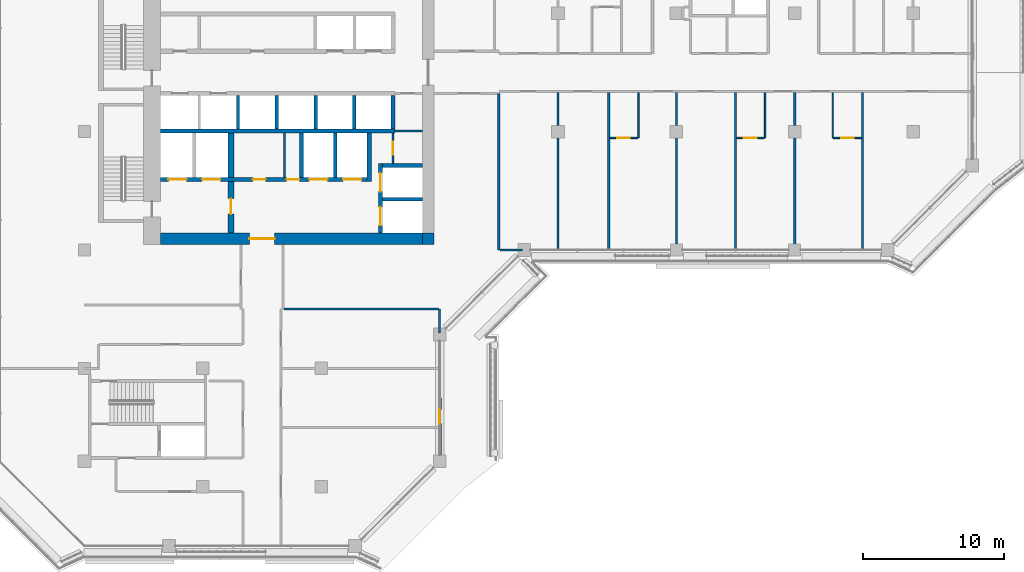
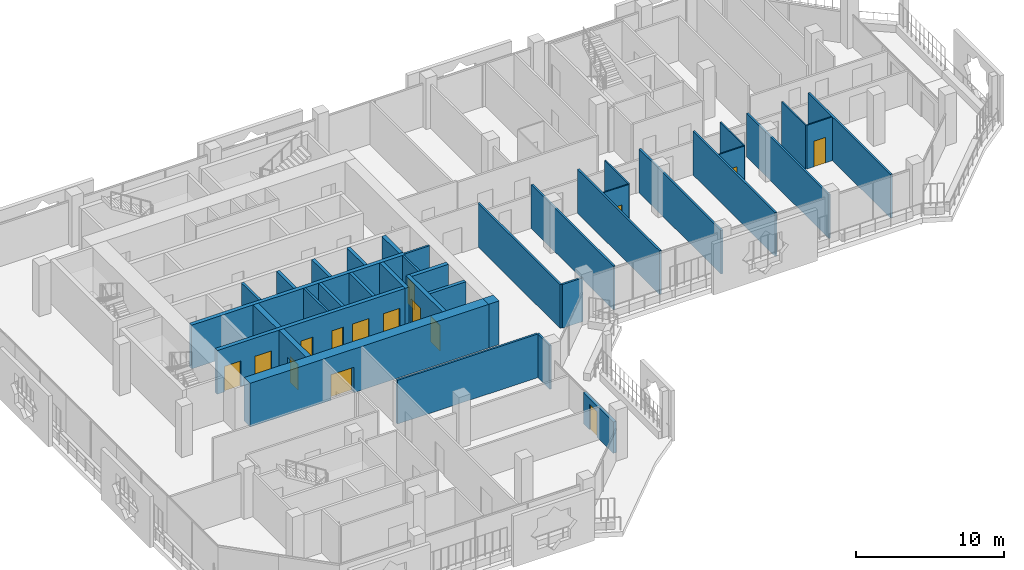
# One storey, part 10 of 21: 37 walls, 15 doors, 15 openings.
"""IFC4 building model written with IfcOpenShell, lengths in metres."""

import ifcopenshell
import ifcopenshell.guid

model = None  # the IFC model being written
_history = None  # IfcOwnerHistory: only IFC2X3 demands one
_inside = {}  # id of a spatial element -> (the spatial element, [elements in it])
_under = {}  # id of a project, library or spatial element -> (it, [spatial elements below it])
_declared = {}  # id of a project -> (the project, [libraries it declares])
_typed = {}  # id of a type object -> (the type object, [elements of that type])
_made_of = {}  # id of a material, layer set ... -> (it, [elements and type objects made of it])


def new_model(schema):
    """Start an empty IFC model of exactly this schema.

    Asked for "IFC4X3", IfcOpenShell would pick the latest addendum, in which some entities
    have other attributes; the version numbers below select the first issue.
    IFC2X3 requires an IfcOwnerHistory on every rooted entity: one is made here for all.
    """
    global model, _history
    if schema == "IFC4X3":
        model = ifcopenshell.file(schema_version=(4, 3, 0, 0))
    else:
        model = ifcopenshell.file(schema=schema)
    _inside.clear()
    _under.clear()
    _declared.clear()
    _typed.clear()
    _made_of.clear()
    _history = None
    if model.schema == "IFC2X3":
        org = make("IfcOrganization", Name="unknown")
        user = make(
            "IfcPersonAndOrganization",
            ThePerson=make("IfcPerson", FamilyName="unknown"),
            TheOrganization=org,
        )
        app = make(
            "IfcApplication",
            ApplicationDeveloper=org,
            Version="unknown",
            ApplicationFullName="unknown",
            ApplicationIdentifier="unknown",
        )
        _history = make(
            "IfcOwnerHistory",
            OwningUser=user,
            OwningApplication=app,
            ChangeAction="ADDED",
            CreationDate=0,
        )
    return model


def make(cls, **values):
    """One entity of the class cls with the attributes given. An attribute that is None is left unset."""
    return model.create_entity(
        cls, **{name: value for name, value in values.items() if value is not None}
    )


def rooted(cls, **values):
    """An entity with a GlobalId (a new one), such as an element, a storey or a relation."""
    return make(cls, GlobalId=ifcopenshell.guid.new(), OwnerHistory=_history, **values)


def si_unit(unit_type, name, prefix=None):
    """IfcSIUnit, for example si_unit("LENGTHUNIT", "METRE", prefix="MILLI")."""
    return make("IfcSIUnit", UnitType=unit_type, Prefix=prefix, Name=name)


def assignment(units):
    """IfcUnitAssignment: the units of a project."""
    return None if units is None else make("IfcUnitAssignment", Units=units)


def point(xyz):
    """IfcCartesianPoint."""
    return None if xyz is None else make("IfcCartesianPoint", Coordinates=xyz)


def direction(xyz):
    """IfcDirection."""
    return None if xyz is None else make("IfcDirection", DirectionRatios=xyz)


def frame(location, z_axis=None, x_axis=None):
    """IfcAxis2Placement3D, a coordinate frame: its origin and axes. An axis left out is left unset."""
    return make(
        "IfcAxis2Placement3D",
        Location=point(location),
        Axis=direction(z_axis),
        RefDirection=direction(x_axis),
    )


def frame_2d(location, x_axis=None):
    """IfcAxis2Placement2D, a coordinate frame in the plane: its origin and x axis."""
    return make(
        "IfcAxis2Placement2D", Location=point(location), RefDirection=direction(x_axis)
    )


def origin():
    """The frame at (0, 0, 0) with its axes left unset."""
    return frame((0.0, 0.0, 0.0))


def place(relative_to, where):
    """IfcLocalPlacement: puts the frame where relative to a parent placement (None: the world)."""
    return make(
        "IfcLocalPlacement", PlacementRelTo=relative_to, RelativePlacement=where
    )


def context(
    kind, dimensions, precision=None, world=None, true_north=None, identifier=None
):
    """IfcGeometricRepresentationContext, for example the 3D "Model" context."""
    return make(
        "IfcGeometricRepresentationContext",
        ContextIdentifier=identifier,
        ContextType=kind,
        CoordinateSpaceDimension=dimensions,
        Precision=precision,
        WorldCoordinateSystem=world,
        TrueNorth=true_north,
    )


def subcontext(parent, identifier, kind, view, scale=None):
    """IfcGeometricRepresentationSubContext, for example "Body" below "Model"."""
    return make(
        "IfcGeometricRepresentationSubContext",
        ContextIdentifier=identifier,
        ContextType=kind,
        ParentContext=parent,
        TargetScale=scale,
        TargetView=view,
    )


def project(units=None, contexts=None):
    """IfcProject with its units and contexts."""
    return rooted(
        "IfcProject",
        Name="project",
        RepresentationContexts=contexts,
        UnitsInContext=assignment(units),
    )


def spatial(cls, under=None, at=None, **own):
    """A site, building, storey or space (cls), placed at a placement, below another one or the project."""
    s = rooted(cls, ObjectPlacement=at, **own)
    if under is not None:
        _under.setdefault(under.id(), (under, []))[1].append(s)
    return s


def profile(cls, at=None, kind="AREA", **sizes):
    """A parametric profile (cls). Its sizes go by their IFC names, for example OverallWidth=200.0."""
    return make(cls, ProfileType=kind, Position=at, **sizes)


def rectangle(**sizes):
    """IfcRectangleProfileDef."""
    return profile("IfcRectangleProfileDef", **sizes)


def extrude(swept, where, along, depth):
    """IfcExtrudedAreaSolid: the profile swept, set in the frame where, extruded along a direction by depth."""
    return make(
        "IfcExtrudedAreaSolid",
        SweptArea=swept,
        Position=where,
        ExtrudedDirection=direction(along),
        Depth=depth,
    )


def shape(context_of_items, identifier, shape_type, items):
    """IfcShapeRepresentation: the items that make up one representation, for example the "Body"."""
    return make(
        "IfcShapeRepresentation",
        ContextOfItems=context_of_items,
        RepresentationIdentifier=identifier,
        RepresentationType=shape_type,
        Items=items,
    )


def material(Name=None, Category=None):
    """IfcMaterial."""
    return make("IfcMaterial", Name=Name, Category=Category)


def layer(
    of_material, thickness, ventilated=None, Name=None, Category=None, Priority=None
):
    """IfcMaterialLayer: one layer of a wall or slab, of a material (None: an air gap)."""
    return make(
        "IfcMaterialLayer",
        Material=of_material,
        LayerThickness=thickness,
        IsVentilated=ventilated,
        Name=Name,
        Category=Category,
        Priority=Priority,
    )


def layer_set(layers, Name=None):
    """IfcMaterialLayerSet."""
    return make("IfcMaterialLayerSet", MaterialLayers=layers, LayerSetName=Name)


def made_of(thing, what):
    """Note that an element or type object is made of a material, layer set ...; save() writes the relation."""
    if what is not None:
        _made_of.setdefault(what.id(), (what, []))[1].append(thing)
    return thing


def type_object(cls, material=None, **own):
    """A type object (cls), such as IfcWallType, which elements share."""
    return made_of(rooted(cls, **own), material)


def element(
    cls,
    number,
    at=None,
    inside=None,
    cuts=None,
    type_object=None,
    material=None,
    context=None,
    identifier="Body",
    shape_type=None,
    held_by="IfcProductDefinitionShape",
    body=None,
    shapes=None,
    **own,
):
    """One element of the class cls, such as IfcWall. Its Tag is "e" and its number.

    at: its placement. inside: the storey or other place that contains it. cuts: it is an
    opening in that element (IfcRelVoidsElement). A single representation is given by context,
    identifier, shape_type and body (its items); several are given by shapes. held_by: the class
    of the entity that holds the representations. save() writes the other relations.
    """
    e = rooted(cls, Tag="e%d" % number, ObjectPlacement=at, **own)
    if body is not None:
        shapes = [shape(context, identifier, shape_type, body)]
    if shapes is not None:
        e.Representation = make(held_by, Representations=shapes)
    if inside is not None:
        _inside.setdefault(inside.id(), (inside, []))[1].append(e)
    if cuts is not None:
        rooted(
            "IfcRelVoidsElement", RelatingBuildingElement=cuts, RelatedOpeningElement=e
        )
    if type_object is not None:
        _typed.setdefault(type_object.id(), (type_object, []))[1].append(e)
    return made_of(e, material)


def fill(opening, filler):
    """IfcRelFillsElement: the door or window that sits in an opening."""
    return rooted(
        "IfcRelFillsElement",
        RelatingOpeningElement=opening,
        RelatedBuildingElement=filler,
    )


def aggregate(whole, parts):
    """IfcRelAggregates: a whole, such as a stair, and the parts it consists of."""
    return rooted("IfcRelAggregates", RelatingObject=whole, RelatedObjects=parts)


def save(model, path):
    """Write the relations noted so far, then the file.

    IfcRelAggregates (storeys below a building ...), IfcRelContainedInSpatialStructure (elements
    in a storey), IfcRelDefinesByType, IfcRelAssociatesMaterial and IfcRelDeclares: one each for
    every whole, place, type object, material and project.
    """
    for whole, parts in _under.values():
        aggregate(whole, parts)
    for where, things in _inside.values():
        rooted(
            "IfcRelContainedInSpatialStructure",
            RelatedElements=things,
            RelatingStructure=where,
        )
    for kind, things in _typed.values():
        rooted("IfcRelDefinesByType", RelatedObjects=things, RelatingType=kind)
    for what, things in _made_of.values():
        rooted("IfcRelAssociatesMaterial", RelatedObjects=things, RelatingMaterial=what)
    for by, libraries in _declared.values():
        rooted("IfcRelDeclares", RelatingContext=by, RelatedDefinitions=libraries)
    model.write(path)


model = new_model("IFC4")

# Units and contexts
model_context = context("Model", 3, precision=1e-05, world=origin(), true_north=direction((0.0, 1.0)))
body_context = subcontext(model_context, "Body", "Model", "MODEL_VIEW")
ifc_project = project(units=[si_unit("LENGTHUNIT", "METRE"), si_unit("AREAUNIT", "SQUARE_METRE"), si_unit("VOLUMEUNIT", "CUBIC_METRE"), si_unit("PLANEANGLEUNIT", "RADIAN"), si_unit("MASSUNIT", "GRAM", prefix="KILO")], contexts=[model_context])

# Site, building, storey
site_placement = place(None, origin())
site = spatial("IfcSite", under=ifc_project, at=site_placement, CompositionType="ELEMENT")
building_placement = place(site_placement, origin())
building = spatial("IfcBuilding", under=site, at=building_placement, Name="Kawkab Arch Medical Tower", CompositionType="ELEMENT")
storey_placement = place(building_placement, frame((0.0, 0.0, 243.199951171875)))
storey = spatial("IfcBuildingStorey", under=building, at=storey_placement, Name="L56", CompositionType="ELEMENT", Elevation=243.199951171875)

# Wall, opening, door
ifc_material_1 = material(Name="Concrete C50/60", Category="concrete")
ifc_layer_1 = layer(ifc_material_1, 0.800048828125)
ifc_layer_set_1 = layer_set([ifc_layer_1], Name="Concrete C50/60")
wall_type_1 = type_object("IfcWallType", Name="Core ring wall 800 C50/60", PredefinedType="SHEAR", material=ifc_layer_set_1)
wall_1_placement = place(storey_placement, frame((5.39990234375, -24.39990234375, 0.0), z_axis=(0.0, 0.0, 1.0), x_axis=(1.0, 0.0, 0.0)))
wall_1 = element("IfcWall", 1, at=wall_1_placement, inside=storey, type_object=wall_type_1, Name="L56 core wall", PredefinedType="SHEAR", context=body_context, shape_type="SweptSolid", body=[
    extrude(rectangle(XDim=18.60009765625, YDim=0.800048828125, at=frame_2d((9.300048828125, 0.0))), origin(), (0.0, 0.0, 1.0), 3.60009765625),
])
opening_1_placement = place(wall_1_placement, frame((6.300048828125, 0.0, 0.0)))
opening_1 = element("IfcOpeningElement", 2, at=opening_1_placement, cuts=wall_1, Name="Opening PD", PredefinedType="OPENING", context=body_context, shape_type="SweptSolid", body=[
    extrude(rectangle(XDim=1.800048828125, YDim=2.10009765625, at=frame_2d((0.89990234375, 1.050048828125))), frame((0.0, 0.409912109375, 0.0), z_axis=(0.0, -1.0, 0.0), x_axis=(1.0, 0.0, 0.0)), (0.0, 0.0, 1.0), 0.820068359375),
])
ifc_material_2 = material(Name="Hollow metal fire door leaf")
door_type_1 = type_object("IfcDoorType", Name="Core entrance doors 1800", OperationType="DOUBLE_DOOR_SINGLE_SWING", PredefinedType="DOOR", material=ifc_material_2)
door_1_placement = place(opening_1_placement, origin())
door_1 = element("IfcDoor", 3, at=door_1_placement, inside=storey, type_object=door_type_1, Name="L56 South entrance doors", OperationType="DOUBLE_DOOR_SINGLE_SWING", OverallHeight=2.10009765625, OverallWidth=1.800048828125, PredefinedType="DOOR", context=body_context, shape_type="SweptSolid", body=[
    extrude(rectangle(XDim=1.800048828125, YDim=2.10009765625, at=frame_2d((0.89990234375, 1.050048828125))), frame((0.0, 0.02490234375, 0.0), z_axis=(0.0, -1.0, 0.0), x_axis=(1.0, 0.0, 0.0)), (0.0, 0.0, 1.0), 0.050048828125),
])
fill(opening_1, door_1)

# Wall
wall_2_placement = place(storey_placement, frame((24.39990234375, -24.800048828125, 0.0), z_axis=(0.0, 0.0, 1.0), x_axis=(0.0, 1.0, 0.0)))
element("IfcWall", 4, at=wall_2_placement, inside=storey, type_object=wall_type_1, Name="L56 core wall", PredefinedType="SHEAR", context=body_context, shape_type="SweptSolid", body=[
    extrude(rectangle(XDim=0.800048828125, YDim=0.800048828125, at=frame_2d((0.39990234375, 0.0))), origin(), (0.0, 0.0, 1.0), 3.60009765625),
])

# Wall, opening, door
ifc_material_3 = material(Name="Gypsum board on steel studs", Category="steel")
ifc_layer_2 = layer(ifc_material_3, 0.14990234375)
ifc_layer_set_2 = layer_set([ifc_layer_2], Name="Gypsum board on steel studs")
wall_type_2 = type_object("IfcWallType", Name="Core room partition 150", PredefinedType="PARTITIONING", material=ifc_layer_set_2)
wall_3_placement = place(storey_placement, frame((21.89990234375, -19.050048828125, 0.0), z_axis=(0.0, 0.0, 1.0), x_axis=(0.0, 1.0, 0.0)))
wall_3 = element("IfcWall", 5, at=wall_3_placement, inside=storey, type_object=wall_type_2, Name="L56 core room partition", PredefinedType="PARTITIONING", context=body_context, shape_type="SweptSolid", body=[
    extrude(rectangle(XDim=2.150146484375, YDim=0.14990234375, at=frame_2d((1.0751953125, 0.0))), origin(), (0.0, 0.0, 1.0), 3.60009765625),
])
opening_2_placement = place(wall_3_placement, frame((0.625, 0.0, 0.0)))
opening_2 = element("IfcOpeningElement", 6, at=opening_2_placement, cuts=wall_3, Name="Opening RD", PredefinedType="OPENING", context=body_context, shape_type="SweptSolid", body=[
    extrude(rectangle(XDim=0.89990234375, YDim=2.10009765625, at=frame_2d((0.449951171875, 1.050048828125))), frame((0.0, 0.0849609375, 0.0), z_axis=(0.0, -1.0, 0.0), x_axis=(1.0, 0.0, 0.0)), (0.0, 0.0, 1.0), 0.169921875),
])
ifc_material_4 = material(Name="Hollow metal fire door leaf")
door_type_2 = type_object("IfcDoorType", Name="Core room door 900", OperationType="SINGLE_SWING_LEFT", PredefinedType="DOOR", material=ifc_material_4)
door_2_placement = place(opening_2_placement, origin())
door_2 = element("IfcDoor", 7, at=door_2_placement, inside=storey, type_object=door_type_2, Name="L56 Staff WC door", OperationType="SINGLE_SWING_LEFT", OverallHeight=2.10009765625, OverallWidth=0.89990234375, PredefinedType="DOOR", context=body_context, shape_type="SweptSolid", body=[
    extrude(rectangle(XDim=0.89990234375, YDim=2.10009765625, at=frame_2d((0.449951171875, 1.050048828125))), frame((0.0, 0.02490234375, 0.0), z_axis=(0.0, -1.0, 0.0), x_axis=(1.0, 0.0, 0.0)), (0.0, 0.0, 1.0), 0.050048828125),
])
fill(opening_2, door_2)

# Walls
wall_4_placement = place(storey_placement, frame((22.050048828125, -16.75, 0.0), z_axis=(0.0, 0.0, 1.0), x_axis=(1.0, 0.0, 0.0)))
element("IfcWall", 8, at=wall_4_placement, inside=storey, type_object=wall_type_2, Name="L56 core room partition", PredefinedType="PARTITIONING", context=body_context, shape_type="SweptSolid", body=[
    extrude(rectangle(XDim=1.949951171875, YDim=0.14990234375, at=frame_2d((0.97509765625, 0.0))), origin(), (0.0, 0.0, 1.0), 3.60009765625),
])
wall_5_placement = place(storey_placement, frame((14.199951171875, -20.050048828125, 0.0), z_axis=(0.0, 0.0, 1.0), x_axis=(0.0, 1.0, 0.0)))
element("IfcWall", 9, at=wall_5_placement, inside=storey, type_object=wall_type_2, Name="L56 core room partition", PredefinedType="PARTITIONING", context=body_context, shape_type="SweptSolid", body=[
    extrude(rectangle(XDim=3.150146484375, YDim=0.14990234375, at=frame_2d((1.5751953125, 0.0))), origin(), (0.0, 0.0, 1.0), 3.60009765625),
])
ifc_material_5 = material(Name="Concrete C60/75", Category="concrete")
ifc_layer_3 = layer(ifc_material_5, 0.25)
ifc_layer_set_3 = layer_set([ifc_layer_3], Name="Concrete C60/75")
wall_type_3 = type_object("IfcWallType", Name="Core shear wall 250 C60/75", PredefinedType="SHEAR", material=ifc_layer_set_3)
wall_6_placement = place(storey_placement, frame((21.14990234375, -21.60009765625, 0.0), z_axis=(0.0, 0.0, 1.0), x_axis=(1.0, 0.0, 0.0)))
element("IfcWall", 10, at=wall_6_placement, inside=storey, type_object=wall_type_3, Name="L56 core shear wall", PredefinedType="SHEAR", context=body_context, shape_type="SweptSolid", body=[
    extrude(rectangle(XDim=2.85009765625, YDim=0.25, at=frame_2d((1.425048828125, 0.0))), origin(), (0.0, 0.0, 1.0), 3.60009765625),
])
for number, where, z_axis, x_axis, name in (
    (11, (15.39990234375, -20.050048828125, 0.0), (0.0, 0.0, 1.0), (0.0, 1.0, 0.0), "L56 core shear wall"),
    (12, (17.800048828125, -20.050048828125, 0.0), (0.0, 0.0, 1.0), (0.0, 1.0, 0.0), "L56 core shear wall"),
):
    element("IfcWall", number, at=place(storey_placement, frame(where, z_axis=z_axis, x_axis=x_axis)), inside=storey, type_object=wall_type_3, Name=name, PredefinedType="SHEAR", context=body_context, shape_type="SweptSolid", body=[
        extrude(rectangle(XDim=3.150146484375, YDim=0.25, at=frame_2d((1.5751953125, 0.0))), origin(), (0.0, 0.0, 1.0), 3.60009765625),
    ])
for number, where, z_axis, x_axis, name in (
    (13, (13.64990234375, -16.60009765625, 0.0), (0.0, 0.0, 1.0), (0.0, 1.0, 0.0), "L56 core shear wall"),
    (14, (16.39990234375, -16.60009765625, 0.0), (0.0, 0.0, 1.0), (0.0, 1.0, 0.0), "L56 core shear wall"),
    (15, (19.14990234375, -16.60009765625, 0.0), (0.0, 0.0, 1.0), (0.0, 1.0, 0.0), "L56 core shear wall"),
):
    element("IfcWall", number, at=place(storey_placement, frame(where, z_axis=z_axis, x_axis=x_axis)), inside=storey, type_object=wall_type_3, Name=name, PredefinedType="SHEAR", context=body_context, shape_type="SweptSolid", body=[
        extrude(rectangle(XDim=2.35009765625, YDim=0.25, at=frame_2d((1.175048828125, 0.0))), origin(), (0.0, 0.0, 1.0), 3.60009765625),
    ])
ifc_material_6 = material(Name="Concrete C60/75", Category="concrete")
ifc_layer_4 = layer(ifc_material_6, 0.300048828125)
ifc_layer_set_4 = layer_set([ifc_layer_4], Name="Concrete C60/75")
wall_type_4 = type_object("IfcWallType", Name="Core shear wall 300 C60/75", PredefinedType="SHEAR", material=ifc_layer_set_4)
wall_7_placement = place(storey_placement, frame((5.39990234375, -16.75, 0.0), z_axis=(0.0, 0.0, 1.0), x_axis=(1.0, 0.0, 0.0)))
element("IfcWall", 16, at=wall_7_placement, inside=storey, type_object=wall_type_4, Name="L56 core shear wall", PredefinedType="SHEAR", context=body_context, shape_type="SweptSolid", body=[
    extrude(rectangle(XDim=16.650146484375, YDim=0.300048828125, at=frame_2d((8.3251953125, 0.0))), origin(), (0.0, 0.0, 1.0), 3.60009765625),
])

# Wall, openings, doors
wall_8_placement = place(storey_placement, frame((5.39990234375, -20.199951171875, 0.0), z_axis=(0.0, 0.0, 1.0), x_axis=(1.0, 0.0, 0.0)))
wall_8 = element("IfcWall", 17, at=wall_8_placement, inside=storey, type_object=wall_type_4, Name="L56 core shear wall", PredefinedType="SHEAR", context=body_context, shape_type="SweptSolid", body=[
    extrude(rectangle(XDim=14.650146484375, YDim=0.300048828125, at=frame_2d((7.3251953125, 0.0))), origin(), (0.0, 0.0, 1.0), 3.60009765625),
])
opening_3_placement = place(wall_8_placement, frame((10.550048828125, 0.0, 0.0)))
opening_3 = element("IfcOpeningElement", 18, at=opening_3_placement, cuts=wall_8, Name="Opening LD2", PredefinedType="OPENING", context=body_context, shape_type="SweptSolid", body=[
    extrude(rectangle(XDim=1.300048828125, YDim=2.10009765625, at=frame_2d((0.64990234375, 1.050048828125))), frame((0.0, 0.159912109375, 0.0), z_axis=(0.0, -1.0, 0.0), x_axis=(1.0, 0.0, 0.0)), (0.0, 0.0, 1.0), 0.320068359375),
])
opening_4_placement = place(wall_8_placement, frame((12.949951171875, 0.0, 0.0)))
opening_4 = element("IfcOpeningElement", 19, at=opening_4_placement, cuts=wall_8, Name="Opening LD2", PredefinedType="OPENING", context=body_context, shape_type="SweptSolid", body=[
    extrude(rectangle(XDim=1.300048828125, YDim=2.10009765625, at=frame_2d((0.64990234375, 1.050048828125))), frame((0.0, 0.159912109375, 0.0), z_axis=(0.0, -1.0, 0.0), x_axis=(1.0, 0.0, 0.0)), (0.0, 0.0, 1.0), 0.320068359375),
])
opening_5_placement = place(wall_8_placement, frame((0.550048828125, 0.0, 0.0)))
opening_5 = element("IfcOpeningElement", 20, at=opening_5_placement, cuts=wall_8, Name="Opening LD2", PredefinedType="OPENING", context=body_context, shape_type="SweptSolid", body=[
    extrude(rectangle(XDim=1.300048828125, YDim=2.10009765625, at=frame_2d((0.64990234375, 1.050048828125))), frame((0.0, 0.159912109375, 0.0), z_axis=(0.0, -1.0, 0.0), x_axis=(1.0, 0.0, 0.0)), (0.0, 0.0, 1.0), 0.320068359375),
])
opening_6_placement = place(wall_8_placement, frame((2.949951171875, 0.0, 0.0)))
opening_6 = element("IfcOpeningElement", 21, at=opening_6_placement, cuts=wall_8, Name="Opening LD2", PredefinedType="OPENING", context=body_context, shape_type="SweptSolid", body=[
    extrude(rectangle(XDim=1.300048828125, YDim=2.10009765625, at=frame_2d((0.64990234375, 1.050048828125))), frame((0.0, 0.159912109375, 0.0), z_axis=(0.0, -1.0, 0.0), x_axis=(1.0, 0.0, 0.0)), (0.0, 0.0, 1.0), 0.320068359375),
])
opening_7_placement = place(wall_8_placement, frame((6.550048828125, 0.0, 0.0)))
opening_7 = element("IfcOpeningElement", 22, at=opening_7_placement, cuts=wall_8, Name="Opening RD", PredefinedType="OPENING", context=body_context, shape_type="SweptSolid", body=[
    extrude(rectangle(XDim=0.89990234375, YDim=2.10009765625, at=frame_2d((0.449951171875, 1.050048828125))), frame((0.0, 0.159912109375, 0.0), z_axis=(0.0, -1.0, 0.0), x_axis=(1.0, 0.0, 0.0)), (0.0, 0.0, 1.0), 0.320068359375),
])
opening_8_placement = place(wall_8_placement, frame((8.949951171875, 0.0, 0.0)))
opening_8 = element("IfcOpeningElement", 23, at=opening_8_placement, cuts=wall_8, Name="Opening RD", PredefinedType="OPENING", context=body_context, shape_type="SweptSolid", body=[
    extrude(rectangle(XDim=0.89990234375, YDim=2.10009765625, at=frame_2d((0.449951171875, 1.050048828125))), frame((0.0, 0.159912109375, 0.0), z_axis=(0.0, -1.0, 0.0), x_axis=(1.0, 0.0, 0.0)), (0.0, 0.0, 1.0), 0.320068359375),
])
door_3_placement = place(opening_7_placement, origin())
door_3 = element("IfcDoor", 24, at=door_3_placement, inside=storey, type_object=door_type_2, Name="L56 Medication store door", OperationType="SINGLE_SWING_LEFT", OverallHeight=2.10009765625, OverallWidth=0.89990234375, PredefinedType="DOOR", context=body_context, shape_type="SweptSolid", body=[
    extrude(rectangle(XDim=0.89990234375, YDim=2.10009765625, at=frame_2d((0.449951171875, 1.050048828125))), frame((0.0, 0.02490234375, 0.0), z_axis=(0.0, -1.0, 0.0), x_axis=(1.0, 0.0, 0.0)), (0.0, 0.0, 1.0), 0.050048828125),
])
fill(opening_7, door_3)
door_4_placement = place(opening_8_placement, origin())
door_4 = element("IfcDoor", 25, at=door_4_placement, inside=storey, type_object=door_type_2, Name="L56 Clean utility room door", OperationType="SINGLE_SWING_LEFT", OverallHeight=2.10009765625, OverallWidth=0.89990234375, PredefinedType="DOOR", context=body_context, shape_type="SweptSolid", body=[
    extrude(rectangle(XDim=0.89990234375, YDim=2.10009765625, at=frame_2d((0.449951171875, 1.050048828125))), frame((0.0, 0.02490234375, 0.0), z_axis=(0.0, -1.0, 0.0), x_axis=(1.0, 0.0, 0.0)), (0.0, 0.0, 1.0), 0.050048828125),
])
fill(opening_8, door_4)
ifc_material_7 = material(Name="Stainless steel lift door leaf", Category="steel")
door_type_3 = type_object("IfcDoorType", Name="Lift landing door 1300", OperationType="DOUBLE_DOOR_SLIDING", PredefinedType="DOOR", material=ifc_material_7)
door_5_placement = place(opening_3_placement, origin())
door_5 = element("IfcDoor", 26, at=door_5_placement, inside=storey, type_object=door_type_3, Name="L56 Lift landing door BD3", OperationType="DOUBLE_DOOR_SLIDING", OverallHeight=2.10009765625, OverallWidth=1.300048828125, PredefinedType="DOOR", context=body_context, shape_type="SweptSolid", body=[
    extrude(rectangle(XDim=1.300048828125, YDim=2.10009765625, at=frame_2d((0.64990234375, 1.050048828125))), frame((0.0, 0.02490234375, 0.0), z_axis=(0.0, -1.0, 0.0), x_axis=(1.0, 0.0, 0.0)), (0.0, 0.0, 1.0), 0.050048828125),
])
fill(opening_3, door_5)
door_6_placement = place(opening_4_placement, origin())
door_6 = element("IfcDoor", 27, at=door_6_placement, inside=storey, type_object=door_type_3, Name="L56 Lift landing door BD4", OperationType="DOUBLE_DOOR_SLIDING", OverallHeight=2.10009765625, OverallWidth=1.300048828125, PredefinedType="DOOR", context=body_context, shape_type="SweptSolid", body=[
    extrude(rectangle(XDim=1.300048828125, YDim=2.10009765625, at=frame_2d((0.64990234375, 1.050048828125))), frame((0.0, 0.02490234375, 0.0), z_axis=(0.0, -1.0, 0.0), x_axis=(1.0, 0.0, 0.0)), (0.0, 0.0, 1.0), 0.050048828125),
])
fill(opening_4, door_6)
door_7_placement = place(opening_5_placement, origin())
door_7 = element("IfcDoor", 28, at=door_7_placement, inside=storey, type_object=door_type_3, Name="L56 Lift landing door FL1", OperationType="DOUBLE_DOOR_SLIDING", OverallHeight=2.10009765625, OverallWidth=1.300048828125, PredefinedType="DOOR", context=body_context, shape_type="SweptSolid", body=[
    extrude(rectangle(XDim=1.300048828125, YDim=2.10009765625, at=frame_2d((0.64990234375, 1.050048828125))), frame((0.0, 0.02490234375, 0.0), z_axis=(0.0, -1.0, 0.0), x_axis=(1.0, 0.0, 0.0)), (0.0, 0.0, 1.0), 0.050048828125),
])
fill(opening_5, door_7)
door_8_placement = place(opening_6_placement, origin())
door_8 = element("IfcDoor", 29, at=door_8_placement, inside=storey, type_object=door_type_3, Name="L56 Lift landing door FL2", OperationType="DOUBLE_DOOR_SLIDING", OverallHeight=2.10009765625, OverallWidth=1.300048828125, PredefinedType="DOOR", context=body_context, shape_type="SweptSolid", body=[
    extrude(rectangle(XDim=1.300048828125, YDim=2.10009765625, at=frame_2d((0.64990234375, 1.050048828125))), frame((0.0, 0.02490234375, 0.0), z_axis=(0.0, -1.0, 0.0), x_axis=(1.0, 0.0, 0.0)), (0.0, 0.0, 1.0), 0.050048828125),
])
fill(opening_6, door_8)

# Walls
wall_9_placement = place(storey_placement, frame((20.199951171875, -20.35009765625, 0.0), z_axis=(0.0, 0.0, 1.0), x_axis=(0.0, 1.0, 0.0)))
element("IfcWall", 30, at=wall_9_placement, inside=storey, type_object=wall_type_4, Name="L56 core shear wall", PredefinedType="SHEAR", context=body_context, shape_type="SweptSolid", body=[
    extrude(rectangle(XDim=3.4501953125, YDim=0.300048828125, at=frame_2d((1.72509765625, 0.0))), origin(), (0.0, 0.0, 1.0), 3.60009765625),
])
wall_10_placement = place(storey_placement, frame((21.89990234375, -16.60009765625, 0.0), z_axis=(0.0, 0.0, 1.0), x_axis=(0.0, 1.0, 0.0)))
element("IfcWall", 31, at=wall_10_placement, inside=storey, type_object=wall_type_4, Name="L56 core shear wall", PredefinedType="SHEAR", context=body_context, shape_type="SweptSolid", body=[
    extrude(rectangle(XDim=2.35009765625, YDim=0.300048828125, at=frame_2d((1.175048828125, 0.0))), origin(), (0.0, 0.0, 1.0), 3.60009765625),
])
wall_11_placement = place(storey_placement, frame((21.14990234375, -19.199951171875, 0.0), z_axis=(0.0, 0.0, 1.0), x_axis=(1.0, 0.0, 0.0)))
element("IfcWall", 32, at=wall_11_placement, inside=storey, type_object=wall_type_4, Name="L56 core shear wall", PredefinedType="SHEAR", context=body_context, shape_type="SweptSolid", body=[
    extrude(rectangle(XDim=2.85009765625, YDim=0.300048828125, at=frame_2d((1.425048828125, 0.0))), origin(), (0.0, 0.0, 1.0), 3.60009765625),
])

# Wall, openings, doors
wall_12_placement = place(storey_placement, frame((21.0, -24.0, 0.0), z_axis=(0.0, 0.0, 1.0), x_axis=(0.0, 1.0, 0.0)))
wall_12 = element("IfcWall", 33, at=wall_12_placement, inside=storey, type_object=wall_type_4, Name="L56 core shear wall", PredefinedType="SHEAR", context=body_context, shape_type="SweptSolid", body=[
    extrude(rectangle(XDim=4.949951171875, YDim=0.300048828125, at=frame_2d((2.47509765625, 0.0))), origin(), (0.0, 0.0, 1.0), 3.60009765625),
])
opening_9_placement = place(wall_12_placement, frame((2.949951171875, 0.0, 0.0)))
opening_9 = element("IfcOpeningElement", 34, at=opening_9_placement, cuts=wall_12, Name="Opening LD2", PredefinedType="OPENING", context=body_context, shape_type="SweptSolid", body=[
    extrude(rectangle(XDim=1.300048828125, YDim=2.10009765625, at=frame_2d((0.64990234375, 1.050048828125))), frame((0.0, 0.159912109375, 0.0), z_axis=(0.0, -1.0, 0.0), x_axis=(1.0, 0.0, 0.0)), (0.0, 0.0, 1.0), 0.320068359375),
])
opening_10_placement = place(wall_12_placement, frame((0.550048828125, 0.0, 0.0)))
opening_10 = element("IfcOpeningElement", 35, at=opening_10_placement, cuts=wall_12, Name="Opening LD2", PredefinedType="OPENING", context=body_context, shape_type="SweptSolid", body=[
    extrude(rectangle(XDim=1.300048828125, YDim=2.10009765625, at=frame_2d((0.64990234375, 1.050048828125))), frame((0.0, 0.159912109375, 0.0), z_axis=(0.0, -1.0, 0.0), x_axis=(1.0, 0.0, 0.0)), (0.0, 0.0, 1.0), 0.320068359375),
])
door_9_placement = place(opening_9_placement, origin())
door_9 = element("IfcDoor", 36, at=door_9_placement, inside=storey, type_object=door_type_3, Name="L56 Lift landing door BD1", OperationType="DOUBLE_DOOR_SLIDING", OverallHeight=2.10009765625, OverallWidth=1.300048828125, PredefinedType="DOOR", context=body_context, shape_type="SweptSolid", body=[
    extrude(rectangle(XDim=1.300048828125, YDim=2.10009765625, at=frame_2d((0.64990234375, 1.050048828125))), frame((0.0, 0.02490234375, 0.0), z_axis=(0.0, -1.0, 0.0), x_axis=(1.0, 0.0, 0.0)), (0.0, 0.0, 1.0), 0.050048828125),
])
fill(opening_9, door_9)
door_10_placement = place(opening_10_placement, origin())
door_10 = element("IfcDoor", 37, at=door_10_placement, inside=storey, type_object=door_type_3, Name="L56 Lift landing door BD2", OperationType="DOUBLE_DOOR_SLIDING", OverallHeight=2.10009765625, OverallWidth=1.300048828125, PredefinedType="DOOR", context=body_context, shape_type="SweptSolid", body=[
    extrude(rectangle(XDim=1.300048828125, YDim=2.10009765625, at=frame_2d((0.64990234375, 1.050048828125))), frame((0.0, 0.02490234375, 0.0), z_axis=(0.0, -1.0, 0.0), x_axis=(1.0, 0.0, 0.0)), (0.0, 0.0, 1.0), 0.050048828125),
])
fill(opening_10, door_10)

# Wall, opening, door
ifc_material_8 = material(Name="Concrete C60/75", Category="concrete")
ifc_layer_5 = layer(ifc_material_8, 0.39990234375)
ifc_layer_set_5 = layer_set([ifc_layer_5], Name="Concrete C60/75")
wall_type_5 = type_object("IfcWallType", Name="Core shear wall 400 C60/75", PredefinedType="SHEAR", material=ifc_layer_set_5)
wall_13_placement = place(storey_placement, frame((10.39990234375, -24.0, 0.0), z_axis=(0.0, 0.0, 1.0), x_axis=(0.0, 1.0, 0.0)))
wall_13 = element("IfcWall", 38, at=wall_13_placement, inside=storey, type_object=wall_type_5, Name="L56 core shear wall", PredefinedType="SHEAR", context=body_context, shape_type="SweptSolid", body=[
    extrude(rectangle(XDim=3.64990234375, YDim=0.39990234375, at=frame_2d((1.824951171875, 0.0))), origin(), (0.0, 0.0, 1.0), 3.60009765625),
])
opening_11_placement = place(wall_13_placement, frame((1.35009765625, 0.0, 0.0)))
opening_11 = element("IfcOpeningElement", 39, at=opening_11_placement, cuts=wall_13, Name="Opening FD", PredefinedType="OPENING", context=body_context, shape_type="SweptSolid", body=[
    extrude(rectangle(XDim=1.10009765625, YDim=2.10009765625, at=frame_2d((0.550048828125, 1.050048828125))), frame((0.0, 0.2099609375, 0.0), z_axis=(0.0, -1.0, 0.0), x_axis=(1.0, 0.0, 0.0)), (0.0, 0.0, 1.0), 0.419921875),
])
ifc_material_9 = material(Name="Hollow metal fire door leaf")
door_type_4 = type_object("IfcDoorType", Name="Firefighting lobby door 1100", OperationType="SINGLE_SWING_LEFT", PredefinedType="DOOR", material=ifc_material_9)
door_11_placement = place(opening_11_placement, origin())
door_11 = element("IfcDoor", 40, at=door_11_placement, inside=storey, type_object=door_type_4, Name="L56 Firefighting lobby door", OperationType="SINGLE_SWING_LEFT", OverallHeight=2.10009765625, OverallWidth=1.10009765625, PredefinedType="DOOR", context=body_context, shape_type="SweptSolid", body=[
    extrude(rectangle(XDim=1.10009765625, YDim=2.10009765625, at=frame_2d((0.550048828125, 1.050048828125))), frame((0.0, 0.02490234375, 0.0), z_axis=(0.0, -1.0, 0.0), x_axis=(1.0, 0.0, 0.0)), (0.0, 0.0, 1.0), 0.050048828125),
])
fill(opening_11, door_11)

# Wall
wall_14_placement = place(storey_placement, frame((10.39990234375, -20.050048828125, 0.0), z_axis=(0.0, 0.0, 1.0), x_axis=(0.0, 1.0, 0.0)))
element("IfcWall", 41, at=wall_14_placement, inside=storey, type_object=wall_type_5, Name="L56 core shear wall", PredefinedType="SHEAR", context=body_context, shape_type="SweptSolid", body=[
    extrude(rectangle(XDim=3.150146484375, YDim=0.39990234375, at=frame_2d((1.5751953125, 0.0))), origin(), (0.0, 0.0, 1.0), 3.60009765625),
])

# Wall, opening, door
ifc_material_10 = material(Name="Bronze clad insulated wall panel")
ifc_layer_6 = layer(ifc_material_10, 0.25)
ifc_layer_set_6 = layer_set([ifc_layer_6], Name="Bronze clad insulated wall panel")
wall_type_6 = type_object("IfcWallType", Name="External wall bay 250", PredefinedType="SOLIDWALL", material=ifc_layer_set_6)
wall_15_placement = place(storey_placement, frame((25.199951171875, -39.75, 0.0), z_axis=(0.0, 0.0, 1.0), x_axis=(0.0, 1.0, 0.0)))
wall_15 = element("IfcWall", 42, at=wall_15_placement, inside=storey, type_object=wall_type_6, Name="External wall bay L56.R05.1.1", PredefinedType="SOLIDWALL", context=body_context, shape_type="SweptSolid", body=[
    extrude(rectangle(XDim=4.050048828125, YDim=0.25, at=frame_2d((2.02490234375, 0.0))), origin(), (0.0, 0.0, 1.0), 2.580078125),
])
opening_12_placement = place(wall_15_placement, frame((2.22509765625, 0.0, 0.0)))
opening_12 = element("IfcOpeningElement", 43, at=opening_12_placement, cuts=wall_15, Name="Opening W56-701", PredefinedType="OPENING", context=body_context, shape_type="SweptSolid", body=[
    extrude(rectangle(XDim=1.0, YDim=2.10009765625, at=frame_2d((0.5, 1.050048828125))), frame((0.0, 0.135009765625, 0.0), z_axis=(0.0, -1.0, 0.0), x_axis=(1.0, 0.0, 0.0)), (0.0, 0.0, 1.0), 0.27001953125),
])
ifc_material_11 = material(Name="Bronze anodised aluminium door with tinted glass", Category="aluminium")
door_type_5 = type_object("IfcDoorType", Name="Single external door 1000 x 2100", OperationType="SINGLE_SWING_LEFT", PredefinedType="DOOR", material=ifc_material_11)
door_12_placement = place(opening_12_placement, origin())
door_12 = element("IfcDoor", 44, at=door_12_placement, inside=storey, type_object=door_type_5, Name="External door L56.R05.1.1", OperationType="SINGLE_SWING_LEFT", OverallHeight=2.10009765625, OverallWidth=1.0, PredefinedType="DOOR", context=body_context, shape_type="SweptSolid", body=[
    extrude(rectangle(XDim=1.0, YDim=2.10009765625, at=frame_2d((0.5, 1.050048828125))), frame((0.0, 0.02490234375, 0.0), z_axis=(0.0, -1.0, 0.0), x_axis=(1.0, 0.0, 0.0)), (0.0, 0.0, 1.0), 0.050048828125),
])
fill(opening_12, door_12)

# Wall
ifc_material_12 = material(Name="Dense concrete blockwork", Category="masonry")
ifc_layer_7 = layer(ifc_material_12, 0.199951171875)
ifc_layer_set_7 = layer_set([ifc_layer_7], Name="Dense concrete blockwork")
wall_type_7 = type_object("IfcWallType", Name="Lift shaft partition 200", PredefinedType="PARTITIONING", material=ifc_layer_set_7)
wall_16_placement = place(storey_placement, frame((10.89990234375, -16.60009765625, 0.0), z_axis=(0.0, 0.0, 1.0), x_axis=(0.0, 1.0, 0.0)))
element("IfcWall", 45, at=wall_16_placement, inside=storey, type_object=wall_type_7, Name="L56 lift shaft partition", PredefinedType="PARTITIONING", context=body_context, shape_type="SweptSolid", body=[
    extrude(rectangle(XDim=2.35009765625, YDim=0.199951171875, at=frame_2d((1.175048828125, 0.0))), origin(), (0.0, 0.0, 1.0), 3.60009765625),
])

# Wall, opening, door
ifc_material_13 = material(Name="Gypsum board partition on steel studs", Category="steel")
ifc_layer_8 = layer(ifc_material_13, 0.10009765625)
ifc_layer_set_8 = layer_set([ifc_layer_8], Name="Gypsum board partition on steel studs")
wall_type_8 = type_object("IfcWallType", Name="Partition 100", PredefinedType="PARTITIONING", material=ifc_layer_set_8)
wall_17_placement = place(storey_placement, frame((37.27490234375, -17.25, 0.0), z_axis=(0.0, 0.0, 1.0), x_axis=(1.0, 0.0, 0.0)))
wall_17 = element("IfcWall", 46, at=wall_17_placement, inside=storey, type_object=wall_type_8, Name="Partition 100 w001", PredefinedType="PARTITIONING", context=body_context, shape_type="SweptSolid", body=[
    extrude(rectangle(XDim=1.97509765625, YDim=0.10009765625, at=frame_2d((0.987548828125, 0.0))), origin(), (0.0, 0.0, 1.0), 3.60009765625),
])
opening_13_placement = place(wall_17_placement, frame((0.52490234375, 0.0, 0.0)))
opening_13 = element("IfcOpeningElement", 47, at=opening_13_placement, cuts=wall_17, Name="Opening W56-007", PredefinedType="OPENING", context=body_context, shape_type="SweptSolid", body=[
    extrude(rectangle(XDim=0.89990234375, YDim=2.10009765625, at=frame_2d((0.449951171875, 1.050048828125))), frame((0.0, 0.06005859375, 0.0), z_axis=(0.0, -1.0, 0.0), x_axis=(1.0, 0.0, 0.0)), (0.0, 0.0, 1.0), 0.1201171875),
])
ifc_material_14 = material(Name="Timber door leaf", Category="wood")
door_type_6 = type_object("IfcDoorType", Name="Single door 900x2100", OperationType="NOTDEFINED", PredefinedType="DOOR", material=ifc_material_14)
door_13_placement = place(opening_13_placement, origin())
door_13 = element("IfcDoor", 48, at=door_13_placement, inside=storey, type_object=door_type_6, Name="Door W56-007", OperationType="SINGLE_SWING_LEFT", OverallHeight=2.10009765625, OverallWidth=0.89990234375, PredefinedType="DOOR", context=body_context, shape_type="SweptSolid", body=[
    extrude(rectangle(XDim=0.89990234375, YDim=2.10009765625, at=frame_2d((0.449951171875, 1.050048828125))), frame((0.0, 0.02490234375, 0.0), z_axis=(0.0, -1.0, 0.0), x_axis=(1.0, 0.0, 0.0)), (0.0, 0.0, 1.0), 0.050048828125),
])
fill(opening_13, door_13)

wall_18_placement = place(storey_placement, frame((46.27490234375, -17.25, 0.0), z_axis=(0.0, 0.0, 1.0), x_axis=(1.0, 0.0, 0.0)))
wall_18 = element("IfcWall", 49, at=wall_18_placement, inside=storey, type_object=wall_type_8, Name="Partition 100 w002", PredefinedType="PARTITIONING", context=body_context, shape_type="SweptSolid", body=[
    extrude(rectangle(XDim=1.97509765625, YDim=0.10009765625, at=frame_2d((0.987548828125, 0.0))), origin(), (0.0, 0.0, 1.0), 3.60009765625),
])
opening_14_placement = place(wall_18_placement, frame((0.52490234375, 0.0, 0.0)))
opening_14 = element("IfcOpeningElement", 50, at=opening_14_placement, cuts=wall_18, Name="Opening W56-008", PredefinedType="OPENING", context=body_context, shape_type="SweptSolid", body=[
    extrude(rectangle(XDim=0.89990234375, YDim=2.10009765625, at=frame_2d((0.449951171875, 1.050048828125))), frame((0.0, 0.06005859375, 0.0), z_axis=(0.0, -1.0, 0.0), x_axis=(1.0, 0.0, 0.0)), (0.0, 0.0, 1.0), 0.1201171875),
])
door_14_placement = place(opening_14_placement, origin())
door_14 = element("IfcDoor", 51, at=door_14_placement, inside=storey, type_object=door_type_6, Name="Door W56-008", OperationType="SINGLE_SWING_RIGHT", OverallHeight=2.10009765625, OverallWidth=0.89990234375, PredefinedType="DOOR", context=body_context, shape_type="SweptSolid", body=[
    extrude(rectangle(XDim=0.89990234375, YDim=2.10009765625, at=frame_2d((0.449951171875, 1.050048828125))), frame((0.0, 0.02490234375, 0.0), z_axis=(0.0, -1.0, 0.0), x_axis=(1.0, 0.0, 0.0)), (0.0, 0.0, 1.0), 0.050048828125),
])
fill(opening_14, door_14)

wall_19_placement = place(storey_placement, frame((53.14990234375, -17.25, 0.0), z_axis=(0.0, 0.0, 1.0), x_axis=(1.0, 0.0, 0.0)))
wall_19 = element("IfcWall", 52, at=wall_19_placement, inside=storey, type_object=wall_type_8, Name="Partition 100 w003", PredefinedType="PARTITIONING", context=body_context, shape_type="SweptSolid", body=[
    extrude(rectangle(XDim=1.97509765625, YDim=0.10009765625, at=frame_2d((0.987548828125, 0.0))), origin(), (0.0, 0.0, 1.0), 3.60009765625),
])
opening_15_placement = place(wall_19_placement, frame((0.550048828125, 0.0, 0.0)))
opening_15 = element("IfcOpeningElement", 53, at=opening_15_placement, cuts=wall_19, Name="Opening W56-009", PredefinedType="OPENING", context=body_context, shape_type="SweptSolid", body=[
    extrude(rectangle(XDim=0.89990234375, YDim=2.10009765625, at=frame_2d((0.449951171875, 1.050048828125))), frame((0.0, 0.06005859375, 0.0), z_axis=(0.0, -1.0, 0.0), x_axis=(1.0, 0.0, 0.0)), (0.0, 0.0, 1.0), 0.1201171875),
])
door_15_placement = place(opening_15_placement, origin())
door_15 = element("IfcDoor", 54, at=door_15_placement, inside=storey, type_object=door_type_6, Name="Door W56-009", OperationType="SINGLE_SWING_RIGHT", OverallHeight=2.10009765625, OverallWidth=0.89990234375, PredefinedType="DOOR", context=body_context, shape_type="SweptSolid", body=[
    extrude(rectangle(XDim=0.89990234375, YDim=2.10009765625, at=frame_2d((0.449951171875, 1.050048828125))), frame((0.0, 0.02490234375, 0.0), z_axis=(0.0, -1.0, 0.0), x_axis=(1.0, 0.0, 0.0)), (0.0, 0.0, 1.0), 0.050048828125),
])
fill(opening_15, door_15)

# Walls
for number, where, z_axis, x_axis, name in (
    (55, (39.300048828125, -17.25, 0.0), (0.0, 0.0, 1.0), (0.0, 1.0, 0.0), "Partition 100 w006"),
    (56, (48.300048828125, -17.25, 0.0), (0.0, 0.0, 1.0), (0.0, 1.0, 0.0), "Partition 100 w007"),
    (57, (53.10009765625, -17.25, 0.0), (0.0, 0.0, 1.0), (0.0, 1.0, 0.0), "Partition 100 w008"),
):
    element("IfcWall", number, at=place(storey_placement, frame(where, z_axis=z_axis, x_axis=x_axis)), inside=storey, type_object=wall_type_8, Name=name, PredefinedType="PARTITIONING", context=body_context, shape_type="SweptSolid", body=[
        extrude(rectangle(XDim=3.22509765625, YDim=0.10009765625, at=frame_2d((1.612548828125, 0.0))), origin(), (0.0, 0.0, 1.0), 3.60009765625),
    ])
ifc_material_15 = material(Name="Gypsum board partition on steel studs, mineral wool", Category="steel")
ifc_layer_9 = layer(ifc_material_15, 0.14990234375)
ifc_layer_set_9 = layer_set([ifc_layer_9], Name="Gypsum board partition on steel studs, mineral wool")
wall_type_9 = type_object("IfcWallType", Name="Partition 150", PredefinedType="PARTITIONING", material=ifc_layer_set_9)
wall_20_placement = place(storey_placement, frame((14.175048828125, -29.39990234375, 0.0), z_axis=(0.0, 0.0, 1.0), x_axis=(1.0, 0.0, 0.0)))
element("IfcWall", 58, at=wall_20_placement, inside=storey, type_object=wall_type_9, Name="Partition 150 w017", PredefinedType="PARTITIONING", context=body_context, shape_type="SweptSolid", body=[
    extrude(rectangle(XDim=10.949951171875, YDim=0.14990234375, at=frame_2d((5.47509765625, 0.0))), origin(), (0.0, 0.0, 1.0), 3.60009765625),
])
wall_21_placement = place(storey_placement, frame((29.47509765625, -25.199951171875, 0.0), z_axis=(0.0, 0.0, 1.0), x_axis=(1.0, 0.0, 0.0)))
element("IfcWall", 59, at=wall_21_placement, inside=storey, type_object=wall_type_9, Name="Partition 150 w019", PredefinedType="PARTITIONING", context=body_context, shape_type="SweptSolid", body=[
    extrude(rectangle(XDim=1.61181640625, YDim=0.14990234375, at=frame_2d((0.805908203125, 0.0))), origin(), (0.0, 0.0, 1.0), 3.60009765625),
])
wall_22_placement = place(storey_placement, frame((25.199951171875, -31.0869140625, 0.0), z_axis=(0.0, 0.0, 1.0), x_axis=(0.0, 1.0, 0.0)))
element("IfcWall", 60, at=wall_22_placement, inside=storey, type_object=wall_type_9, Name="Partition 150 w037", PredefinedType="PARTITIONING", context=body_context, shape_type="SweptSolid", body=[
    extrude(rectangle(XDim=1.68701171875, YDim=0.14990234375, at=frame_2d((0.843505859375, 0.0))), origin(), (0.0, 0.0, 1.0), 3.60009765625),
])
wall_23_placement = place(storey_placement, frame((29.39990234375, -25.199951171875, 0.0), z_axis=(0.0, 0.0, 1.0), x_axis=(0.0, 1.0, 0.0)))
element("IfcWall", 61, at=wall_23_placement, inside=storey, type_object=wall_type_9, Name="Partition 150 w039", PredefinedType="PARTITIONING", context=body_context, shape_type="SweptSolid", body=[
    extrude(rectangle(XDim=11.099853515625, YDim=0.14990234375, at=frame_2d((5.5498046875, 0.0))), origin(), (0.0, 0.0, 1.0), 3.60009765625),
])
for number, where, z_axis, x_axis, name in (
    (62, (33.60009765625, -25.1201171875, 0.0), (0.0, 0.0, 1.0), (0.0, 1.0, 0.0), "Partition 150 w040"),
    (63, (37.199951171875, -25.1201171875, 0.0), (0.0, 0.0, 1.0), (0.0, 1.0, 0.0), "Partition 150 w042"),
    (64, (42.0, -25.1201171875, 0.0), (0.0, 0.0, 1.0), (0.0, 1.0, 0.0), "Partition 150 w045"),
    (65, (46.199951171875, -25.1201171875, 0.0), (0.0, 0.0, 1.0), (0.0, 1.0, 0.0), "Partition 150 w050"),
    (66, (50.39990234375, -25.1201171875, 0.0), (0.0, 0.0, 1.0), (0.0, 1.0, 0.0), "Partition 150 w052"),
    (67, (55.199951171875, -25.1201171875, 0.0), (0.0, 0.0, 1.0), (0.0, 1.0, 0.0), "Partition 150 w055"),
):
    element("IfcWall", number, at=place(storey_placement, frame(where, z_axis=z_axis, x_axis=x_axis)), inside=storey, type_object=wall_type_9, Name=name, PredefinedType="PARTITIONING", context=body_context, shape_type="SweptSolid", body=[
        extrude(rectangle(XDim=11.09521484375, YDim=0.14990234375, at=frame_2d((5.547607421875, 0.0))), origin(), (0.0, 0.0, 1.0), 3.60009765625),
    ])

save(model, "model.ifc")
